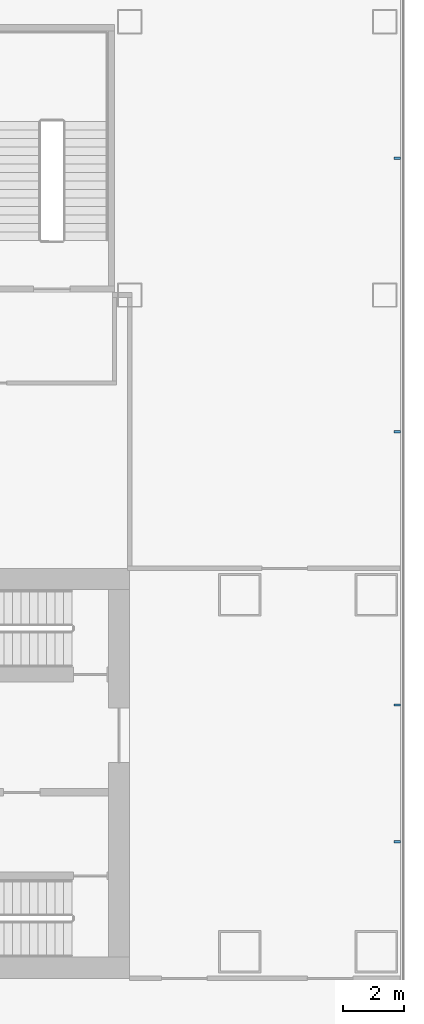
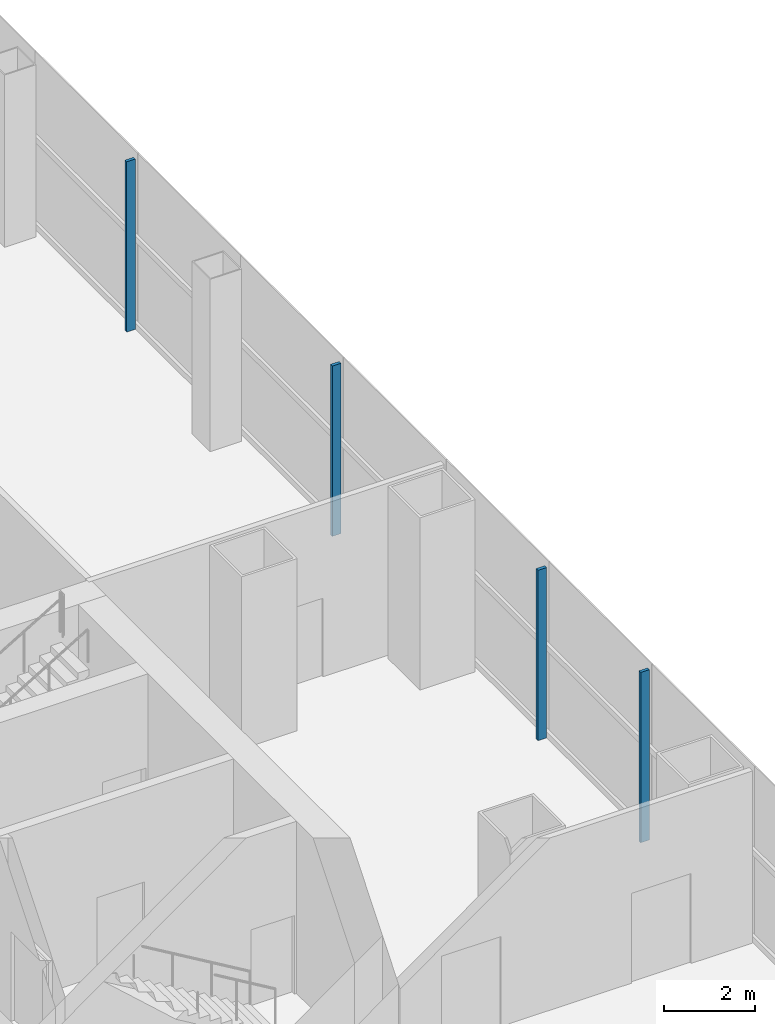
# One storey, part 17 of 33: 4 members, 1 element without a shape of its own.
"""IFC4 building model written with IfcOpenShell, lengths in metres."""

from ifc_helpers import new_model, si_unit, direction, frame, origin, origin_2d, place, context, subcontext, project, spatial, rectangle, extrude, material, layer, layer_set, material_profile, profile_set, type_object, element, aggregate, save


model = new_model("IFC4")

# Units and contexts
model_context = context("Model", 3, precision=1e-05, world=origin(), true_north=direction((0.0, 1.0)))
body_context = subcontext(model_context, "Body", "Model", "MODEL_VIEW")
ifc_project = project(units=[si_unit("LENGTHUNIT", "METRE"), si_unit("AREAUNIT", "SQUARE_METRE"), si_unit("VOLUMEUNIT", "CUBIC_METRE"), si_unit("PLANEANGLEUNIT", "RADIAN"), si_unit("MASSUNIT", "GRAM", prefix="KILO")], contexts=[model_context])

# Site, building, storey
site_placement = place(None, origin())
site = spatial("IfcSite", under=ifc_project, at=site_placement, CompositionType="ELEMENT")
building_placement = place(site_placement, origin())
building = spatial("IfcBuilding", under=site, at=building_placement, Name="Shamsa Quay Exchange Towers", CompositionType="ELEMENT")
storey_placement = place(building_placement, frame((0.0, 0.0, 18.5)))
storey = spatial("IfcBuildingStorey", under=building, at=storey_placement, Name="L03", CompositionType="ELEMENT", Elevation=18.5)

# Curtain wall, members
ifc_material = material(Name="Aluminium EN AW-6063 T6, black anodised", Category="aluminium")
ifc_layer = layer(ifc_material, 0.33203125)
ifc_layer_set = layer_set([ifc_layer], Name="CW-3 PODIUM SHOPFRONT GLAZING")
curtain_wall_type = type_object("IfcCurtainWallType", Name="CW-3 PODIUM SHOPFRONT GLAZING", PredefinedType="NOTDEFINED", material=ifc_layer_set)
curtain_wall_placement = place(storey_placement, origin())
curtain_wall = element("IfcCurtainWall", 1, at=curtain_wall_placement, inside=storey, type_object=curtain_wall_type, Name="CW3 PODIUM-L03-F00", PredefinedType="NOTDEFINED")
ifc_material_profile = material_profile(ifc_material, rectangle(XDim=0.219970703125, YDim=0.080078125, at=origin_2d()), Name="MU80x220")
ifc_profile_set = profile_set([ifc_material_profile], Name="Aluminium EN AW-6063 T6, black anodised")
member_type = type_object("IfcMemberType", Name="CW3 MULLION 80x220", PredefinedType="MULLION", material=ifc_profile_set)
member_1_placement = place(storey_placement, frame((62.81005859375, -2.25, 0.0), z_axis=(0.0, 0.0, 1.0), x_axis=(-1.0, 0.0, 0.0)))
member_1 = element("IfcMember", 2, at=member_1_placement, type_object=member_type, Name="CW3 mullion", PredefinedType="MULLION", context=body_context, shape_type="SweptSolid", body=[
    extrude(rectangle(XDim=0.219970703125, YDim=0.080078125, at=origin_2d()), origin(), (0.0, 0.0, 1.0), 4.550048828125),
])
member_2_placement = place(storey_placement, frame((62.81005859375, 2.25, 0.0), z_axis=(0.0, 0.0, 1.0), x_axis=(-1.0, 0.0, 0.0)))
member_2 = element("IfcMember", 3, at=member_2_placement, type_object=member_type, Name="CW3 mullion", PredefinedType="MULLION", context=body_context, shape_type="SweptSolid", body=[
    extrude(rectangle(XDim=0.219970703125, YDim=0.080078125, at=origin_2d()), origin(), (0.0, 0.0, 1.0), 4.550048828125),
])
member_3_placement = place(storey_placement, frame((62.81005859375, 11.25, 0.0), z_axis=(0.0, 0.0, 1.0), x_axis=(-1.0, 0.0, 0.0)))
member_3 = element("IfcMember", 4, at=member_3_placement, type_object=member_type, Name="CW3 mullion", PredefinedType="MULLION", context=body_context, shape_type="SweptSolid", body=[
    extrude(rectangle(XDim=0.219970703125, YDim=0.080078125, at=origin_2d()), origin(), (0.0, 0.0, 1.0), 4.550048828125),
])
member_4_placement = place(storey_placement, frame((62.81005859375, 20.25, 0.0), z_axis=(0.0, 0.0, 1.0), x_axis=(-1.0, 0.0, 0.0)))
member_4 = element("IfcMember", 5, at=member_4_placement, type_object=member_type, Name="CW3 mullion", PredefinedType="MULLION", context=body_context, shape_type="SweptSolid", body=[
    extrude(rectangle(XDim=0.219970703125, YDim=0.080078125, at=origin_2d()), origin(), (0.0, 0.0, 1.0), 4.550048828125),
])
aggregate(curtain_wall, [member_1, member_2, member_3, member_4])

save(model, "model.ifc")
